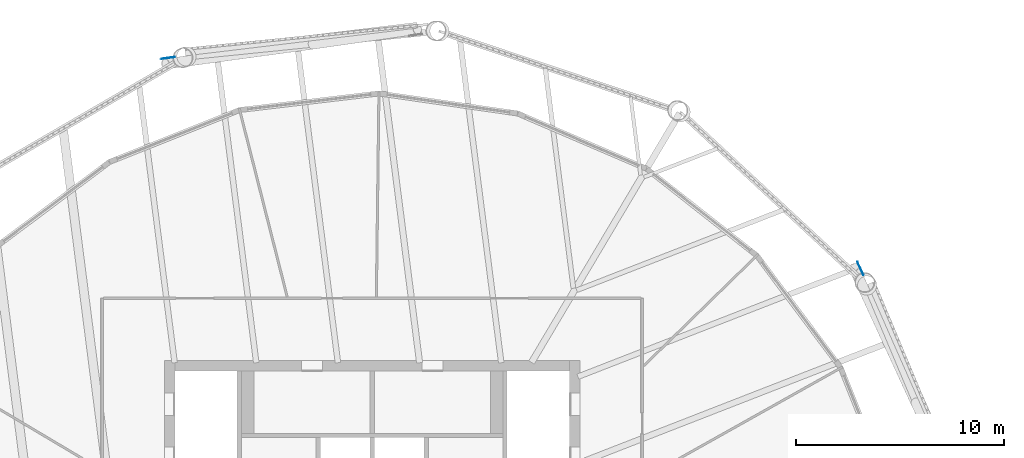
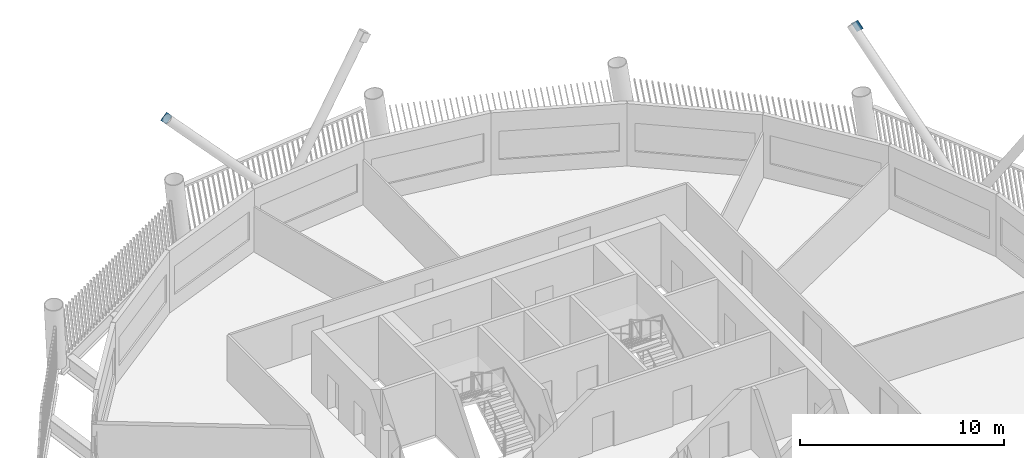
# One storey, part 9 of 20: 2 discrete accessories.
"""IFC4 building model written with IfcOpenShell, lengths in metres."""

from ifc_helpers import new_model, si_unit, direction, frame, origin, origin_2d, place, context, subcontext, project, spatial, rectangle, extrude, material, material_profile, profile_set, type_object, element, save


model = new_model("IFC4")

# Units and contexts
model_context = context("Model", 3, precision=1e-05, world=origin(), true_north=direction((0.0, 1.0)))
body_context = subcontext(model_context, "Body", "Model", "MODEL_VIEW")
ifc_project = project(units=[si_unit("LENGTHUNIT", "METRE"), si_unit("AREAUNIT", "SQUARE_METRE"), si_unit("VOLUMEUNIT", "CUBIC_METRE"), si_unit("PLANEANGLEUNIT", "RADIAN"), si_unit("MASSUNIT", "GRAM", prefix="KILO")], contexts=[model_context])

# Site, building, storey
site_placement = place(None, origin())
site = spatial("IfcSite", under=ifc_project, at=site_placement, CompositionType="ELEMENT")
building_placement = place(site_placement, origin())
building = spatial("IfcBuilding", under=site, at=building_placement, Name="Tarsis Ring Headquarters", CompositionType="ELEMENT")
storey_placement = place(building_placement, frame((0.0, 0.0, 315.800048828125)))
storey = spatial("IfcBuildingStorey", under=building, at=storey_placement, Name="L74", CompositionType="ELEMENT", Elevation=315.800048828125)

# Discrete accessories
ifc_material = material(Name="Structural steel S355", Category="steel")
ifc_material_profile = material_profile(ifc_material, rectangle(XDim=0.02490234375, YDim=0.5, at=origin_2d()), Name="PL 25x500")
ifc_profile_set = profile_set([ifc_material_profile], Name="Structural steel S355")
discrete_accessory_type = type_object("IfcDiscreteAccessoryType", Name="Gusset plate Exo brace 25", PredefinedType="BRACKET", material=ifc_profile_set)
for number, where, z_axis, x_axis, name in (
    (1, (23.43603515625, 17.600341796875, 7.800048828125), (0.282144372413, -0.614078928192, -0.737089969452), (0.908676843963, 0.417500171551, 0.0), "Gusset plate GP5"),
    (2, (-9.992431640625, 27.552978515625, 7.800048828125), (0.669700291097, 0.0907902727, -0.737060816003), (-0.134339631688, 0.990935347719, 0.0), "Gusset plate GP5"),
):
    element("IfcDiscreteAccessory", number, at=place(storey_placement, frame(where, z_axis=z_axis, x_axis=x_axis)), inside=storey, type_object=discrete_accessory_type, Name=name, PredefinedType="BRACKET", context=body_context, shape_type="SweptSolid", body=[
        extrude(rectangle(XDim=0.02490234375, YDim=0.5, at=origin_2d()), origin(), (0.0, 0.0, 1.0), 0.500244140625),
    ])

save(model, "model.ifc")
